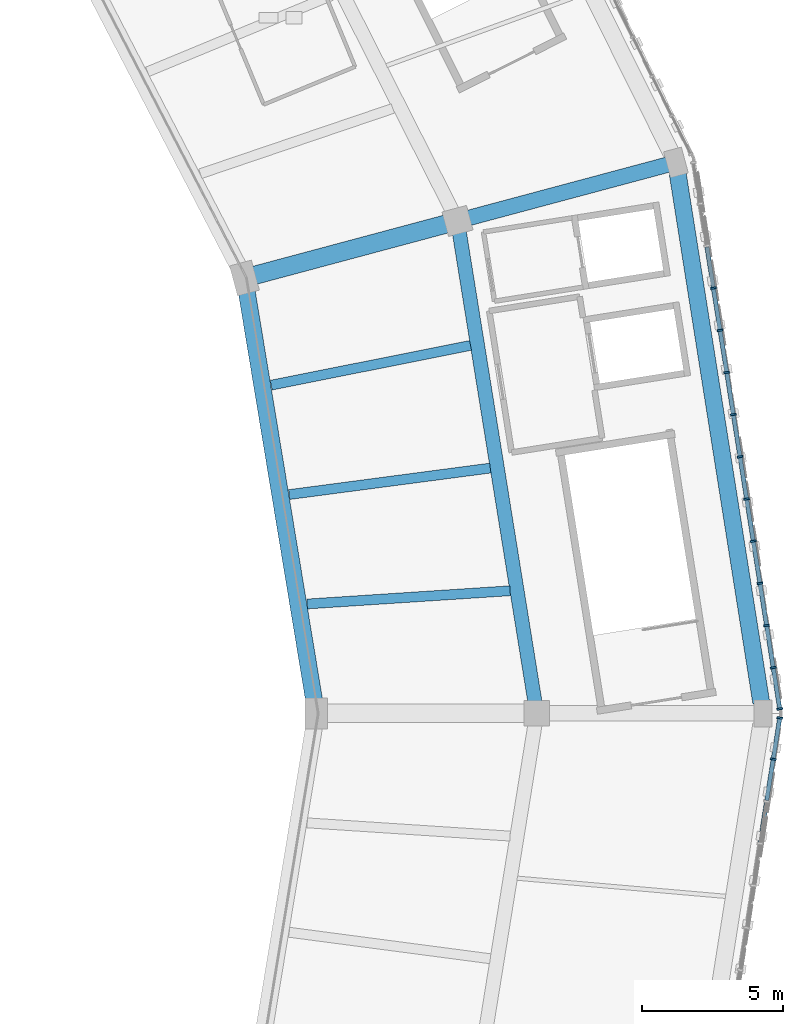
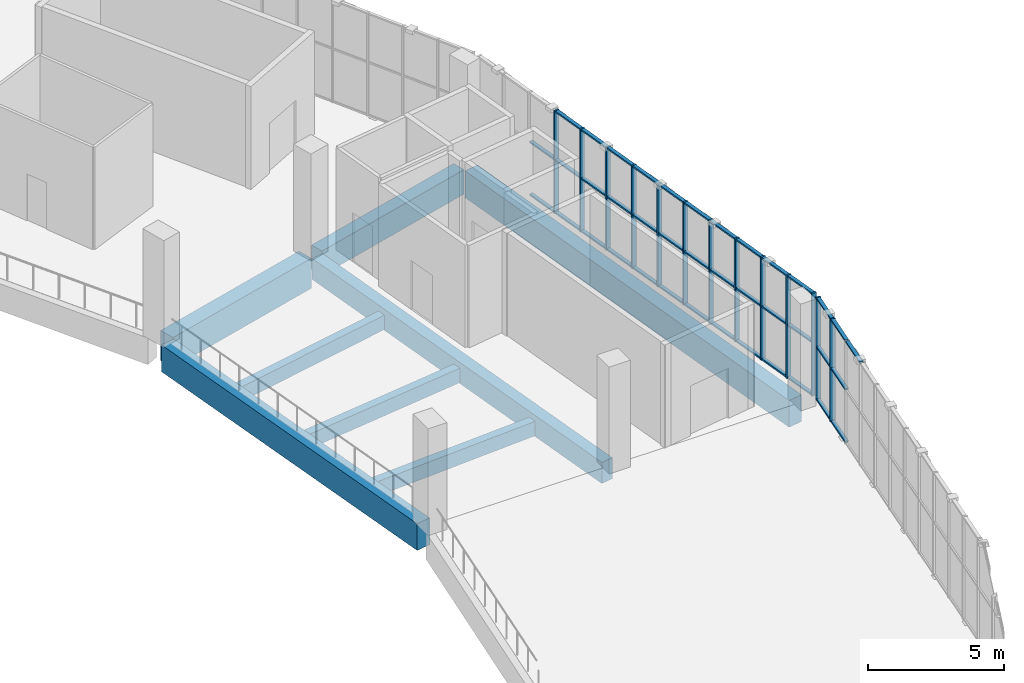
# One storey, part 20 of 64: 52 members, 8 beams, 2 elements without a shape of their own.
"""IFC4 building model written with IfcOpenShell, lengths in metres."""

from ifc_helpers import new_model, si_unit, direction, frame, origin, origin_2d, place, context, subcontext, project, spatial, rectangle, extrude, material, material_profile, profile_set, type_object, element, aggregate, save


model = new_model("IFC4")

# Units and contexts
model_context = context("Model", 3, precision=1e-05, world=origin(), true_north=direction((0.0, 1.0)))
body_context = subcontext(model_context, "Body", "Model", "MODEL_VIEW")
ifc_project = project(units=[si_unit("LENGTHUNIT", "METRE"), si_unit("AREAUNIT", "SQUARE_METRE"), si_unit("VOLUMEUNIT", "CUBIC_METRE"), si_unit("PLANEANGLEUNIT", "RADIAN"), si_unit("MASSUNIT", "GRAM", prefix="KILO")], contexts=[model_context])

# Site, building, storey
site_placement = place(None, origin())
site = spatial("IfcSite", under=ifc_project, at=site_placement, CompositionType="ELEMENT")
building_placement = place(site_placement, origin())
building = spatial("IfcBuilding", under=site, at=building_placement, Name="Zevraka Park Crest Stadium", CompositionType="ELEMENT")
storey_placement = place(building_placement, frame((0.0, 0.0, 24.60009765625)))
storey = spatial("IfcBuildingStorey", under=building, at=storey_placement, Name="L05", CompositionType="ELEMENT", Elevation=24.60009765625)

# Beams
ifc_material_1 = material(Name="Concrete C40/50", Category="concrete")
ifc_material_profile_1 = material_profile(ifc_material_1, rectangle(XDim=0.64990234375, YDim=1.35009765625, at=origin_2d()), Name="RC 1350x650")
ifc_profile_set_1 = profile_set([ifc_material_profile_1], Name="Concrete C40/50")
beam_type_1 = type_object("IfcBeamType", Name="BG01", PredefinedType="BEAM", material=ifc_profile_set_1)
beam_1_placement = place(storey_placement, frame((184.2509765625, 107.47802734375, -0.68505859375), z_axis=(0.965945630245, 0.258745124417, 0.0), x_axis=(-0.258745124417, 0.965945630245, 0.0)))
element("IfcBeam", 1, at=beam_1_placement, inside=storey, type_object=beam_type_1, Name="Radial Girder BG01 L05-BC-01", PredefinedType="BEAM", context=body_context, shape_type="SweptSolid", body=[
    extrude(rectangle(XDim=0.64990234375, YDim=1.35009765625, at=origin_2d()), origin(), (0.0, 0.0, 1.0), 7.2001953125),
])
ifc_material_2 = material(Name="Concrete C40/50", Category="concrete")
ifc_material_profile_2 = material_profile(ifc_material_2, rectangle(XDim=0.550048828125, YDim=1.10009765625, at=origin_2d()), Name="RC 1100x550")
ifc_profile_set_2 = profile_set([ifc_material_profile_2], Name="Concrete C40/50")
beam_type_2 = type_object("IfcBeamType", Name="BG02", PredefinedType="BEAM", material=ifc_profile_set_2)
beam_2_placement = place(storey_placement, frame((191.785888671875, 109.4970703125, -0.56005859375), z_axis=(0.965968812251, 0.258658565986, 0.0), x_axis=(-0.258658565986, 0.965968812251, 0.0)))
element("IfcBeam", 2, at=beam_2_placement, inside=storey, type_object=beam_type_2, Name="Radial Girder BG02 L05-CD-01", PredefinedType="BEAM", context=body_context, shape_type="SweptSolid", body=[
    extrude(rectangle(XDim=0.550048828125, YDim=1.10009765625, at=origin_2d()), origin(), (0.0, 0.0, 1.0), 7.39892578125),
])

# Curtain wall, members
ifc_material_3 = material(Name="Anodised architectural aluminium and laminated safety glass", Category="aluminium")
curtain_wall_type = type_object("IfcCurtainWallType", Name="CW21", PredefinedType="NOTDEFINED", material=ifc_material_3)
curtain_wall_1_placement = place(storey_placement, origin())
curtain_wall_1 = element("IfcCurtainWall", 3, at=curtain_wall_1_placement, inside=storey, type_object=curtain_wall_type, Name="Unitised Ring Curtain Wall CW21 L05-00", PredefinedType="NOTDEFINED")
ifc_material_4 = material(Name="Anodised architectural aluminium", Category="aluminium")
ifc_material_profile_3 = material_profile(ifc_material_4, rectangle(XDim=0.199951171875, YDim=0.070068359375, at=origin_2d()), Name="ALU MULLION 200x70")
ifc_profile_set_3 = profile_set([ifc_material_profile_3], Name="Anodised architectural aluminium")
member_type_1 = type_object("IfcMemberType", Name="CM03", PredefinedType="MULLION", material=ifc_profile_set_3)
member_1_placement = place(storey_placement, frame((202.8935546875, 92.16064453125, 0.0), z_axis=(0.0, 0.0, 1.0), x_axis=(-0.987802580924, -0.155711467527, 0.0)))
member_1 = element("IfcMember", 4, at=member_1_placement, type_object=member_type_1, Name="CW21 mullion 1", PredefinedType="MULLION", context=body_context, shape_type="SweptSolid", body=[
    extrude(rectangle(XDim=0.199951171875, YDim=0.070068359375, at=origin_2d()), origin(), (0.0, 0.0, 1.0), 4.619873046875),
])
member_2_placement = place(storey_placement, frame((202.663818359375, 93.61767578125, 0.0), z_axis=(0.0, 0.0, 1.0), x_axis=(-0.987802580924, -0.155711467527, 0.0)))
member_2 = element("IfcMember", 5, at=member_2_placement, type_object=member_type_1, Name="CW21 mullion 2", PredefinedType="MULLION", context=body_context, shape_type="SweptSolid", body=[
    extrude(rectangle(XDim=0.199951171875, YDim=0.070068359375, at=origin_2d()), origin(), (0.0, 0.0, 1.0), 4.619873046875),
])
member_3_placement = place(storey_placement, frame((202.4287109375, 95.109619140625, 0.0), z_axis=(0.0, 0.0, 1.0), x_axis=(-0.987802580924, -0.155711467527, 0.0)))
member_3 = element("IfcMember", 6, at=member_3_placement, type_object=member_type_1, Name="CW21 mullion 3", PredefinedType="MULLION", context=body_context, shape_type="SweptSolid", body=[
    extrude(rectangle(XDim=0.199951171875, YDim=0.070068359375, at=origin_2d()), origin(), (0.0, 0.0, 1.0), 4.619873046875),
])
member_4_placement = place(storey_placement, frame((202.193603515625, 96.601318359375, 0.0), z_axis=(0.0, 0.0, 1.0), x_axis=(-0.987802580924, -0.155711467527, 0.0)))
member_4 = element("IfcMember", 7, at=member_4_placement, type_object=member_type_1, Name="CW21 mullion 4", PredefinedType="MULLION", context=body_context, shape_type="SweptSolid", body=[
    extrude(rectangle(XDim=0.199951171875, YDim=0.070068359375, at=origin_2d()), origin(), (0.0, 0.0, 1.0), 4.619873046875),
])
member_5_placement = place(storey_placement, frame((201.95849609375, 98.093017578125, 0.0), z_axis=(0.0, 0.0, 1.0), x_axis=(-0.987802580924, -0.155711467527, 0.0)))
member_5 = element("IfcMember", 8, at=member_5_placement, type_object=member_type_1, Name="CW21 mullion 5", PredefinedType="MULLION", context=body_context, shape_type="SweptSolid", body=[
    extrude(rectangle(XDim=0.199951171875, YDim=0.070068359375, at=origin_2d()), origin(), (0.0, 0.0, 1.0), 4.619873046875),
])
member_6_placement = place(storey_placement, frame((201.72314453125, 99.5849609375, 0.0), z_axis=(0.0, 0.0, 1.0), x_axis=(-0.987802580924, -0.155711467527, 0.0)))
member_6 = element("IfcMember", 9, at=member_6_placement, type_object=member_type_1, Name="CW21 mullion 6", PredefinedType="MULLION", context=body_context, shape_type="SweptSolid", body=[
    extrude(rectangle(XDim=0.199951171875, YDim=0.070068359375, at=origin_2d()), origin(), (0.0, 0.0, 1.0), 4.619873046875),
])
member_7_placement = place(storey_placement, frame((201.488037109375, 101.07666015625, 0.0), z_axis=(0.0, 0.0, 1.0), x_axis=(-0.987802580924, -0.155711467527, 0.0)))
member_7 = element("IfcMember", 10, at=member_7_placement, type_object=member_type_1, Name="CW21 mullion 7", PredefinedType="MULLION", context=body_context, shape_type="SweptSolid", body=[
    extrude(rectangle(XDim=0.199951171875, YDim=0.070068359375, at=origin_2d()), origin(), (0.0, 0.0, 1.0), 4.619873046875),
])
member_8_placement = place(storey_placement, frame((201.2529296875, 102.568359375, 0.0), z_axis=(0.0, 0.0, 1.0), x_axis=(-0.987802580924, -0.155711467527, 0.0)))
member_8 = element("IfcMember", 11, at=member_8_placement, type_object=member_type_1, Name="CW21 mullion 8", PredefinedType="MULLION", context=body_context, shape_type="SweptSolid", body=[
    extrude(rectangle(XDim=0.199951171875, YDim=0.070068359375, at=origin_2d()), origin(), (0.0, 0.0, 1.0), 4.619873046875),
])
member_9_placement = place(storey_placement, frame((201.017822265625, 104.06005859375, 0.0), z_axis=(0.0, 0.0, 1.0), x_axis=(-0.987802580924, -0.155711467527, 0.0)))
member_9 = element("IfcMember", 12, at=member_9_placement, type_object=member_type_1, Name="CW21 mullion 9", PredefinedType="MULLION", context=body_context, shape_type="SweptSolid", body=[
    extrude(rectangle(XDim=0.199951171875, YDim=0.070068359375, at=origin_2d()), origin(), (0.0, 0.0, 1.0), 4.619873046875),
])
member_10_placement = place(storey_placement, frame((200.78271484375, 105.552001953125, 0.0), z_axis=(0.0, 0.0, 1.0), x_axis=(-0.987802580924, -0.155711467527, 0.0)))
member_10 = element("IfcMember", 13, at=member_10_placement, type_object=member_type_1, Name="CW21 mullion 10", PredefinedType="MULLION", context=body_context, shape_type="SweptSolid", body=[
    extrude(rectangle(XDim=0.199951171875, YDim=0.070068359375, at=origin_2d()), origin(), (0.0, 0.0, 1.0), 4.619873046875),
])
member_11_placement = place(storey_placement, frame((200.54736328125, 107.043701171875, 0.0), z_axis=(0.0, 0.0, 1.0), x_axis=(-0.987802580924, -0.155711467527, 0.0)))
member_11 = element("IfcMember", 14, at=member_11_placement, type_object=member_type_1, Name="CW21 mullion 11", PredefinedType="MULLION", context=body_context, shape_type="SweptSolid", body=[
    extrude(rectangle(XDim=0.199951171875, YDim=0.070068359375, at=origin_2d()), origin(), (0.0, 0.0, 1.0), 4.619873046875),
])

curtain_wall_2_placement = place(storey_placement, origin())
curtain_wall_2 = element("IfcCurtainWall", 15, at=curtain_wall_2_placement, inside=storey, type_object=curtain_wall_type, Name="Unitised Ring Curtain Wall CW21 L05-23", PredefinedType="NOTDEFINED")
member_12_placement = place(storey_placement, frame((202.663818359375, 90.38232421875, 0.0), z_axis=(0.0, 0.0, 1.0), x_axis=(-0.987802580924, 0.155711467527, 0.0)))
member_12 = element("IfcMember", 16, at=member_12_placement, type_object=member_type_1, Name="CW21 mullion 13", PredefinedType="MULLION", context=body_context, shape_type="SweptSolid", body=[
    extrude(rectangle(XDim=0.199951171875, YDim=0.070068359375, at=origin_2d()), origin(), (0.0, 0.0, 1.0), 4.619873046875),
])
member_13_placement = place(storey_placement, frame((202.8935546875, 91.83935546875, 0.0), z_axis=(0.0, 0.0, 1.0), x_axis=(-0.987802580924, 0.155711467527, 0.0)))
member_13 = element("IfcMember", 17, at=member_13_placement, type_object=member_type_1, Name="CW21 mullion 14", PredefinedType="MULLION", context=body_context, shape_type="SweptSolid", body=[
    extrude(rectangle(XDim=0.199951171875, YDim=0.070068359375, at=origin_2d()), origin(), (0.0, 0.0, 1.0), 4.619873046875),
])

# Member
ifc_material_5 = material(Name="Anodised architectural aluminium", Category="aluminium")
ifc_material_profile_4 = material_profile(ifc_material_5, rectangle(XDim=0.14990234375, YDim=0.070068359375, at=origin_2d()), Name="ALU TRANSOM 150x70")
ifc_profile_set_4 = profile_set([ifc_material_profile_4], Name="Anodised architectural aluminium")
member_type_2 = type_object("IfcMemberType", Name="CT03", PredefinedType="USERDEFINED", material=ifc_profile_set_4)
member_14_placement = place(storey_placement, frame((202.88818359375, 92.195068359375, 0.034912109375), z_axis=(-0.155828759043, 0.987784084634, 0.0), x_axis=(-0.987784084634, -0.155828759043, 0.0)))
member_14 = element("IfcMember", 18, at=member_14_placement, type_object=member_type_2, Name="CW21 transom 1.1", ObjectType="TRANSOM", PredefinedType="USERDEFINED", context=body_context, shape_type="SweptSolid", body=[
    extrude(rectangle(XDim=0.14990234375, YDim=0.070068359375, at=origin_2d()), origin(), (0.0, 0.0, 1.0), 1.4052734375),
])

member_15_placement = place(storey_placement, frame((202.88818359375, 92.195068359375, 2.39990234375), z_axis=(-0.155828759043, 0.987784084634, 0.0), x_axis=(-0.987784084634, -0.155828759043, 0.0)))
member_15 = element("IfcMember", 19, at=member_15_placement, type_object=member_type_2, Name="CW21 transom 1.2", ObjectType="TRANSOM", PredefinedType="USERDEFINED", context=body_context, shape_type="SweptSolid", body=[
    extrude(rectangle(XDim=0.14990234375, YDim=0.070068359375, at=origin_2d()), origin(), (0.0, 0.0, 1.0), 1.4052734375),
])

member_16_placement = place(storey_placement, frame((202.88818359375, 92.195068359375, 4.5849609375), z_axis=(-0.155828759043, 0.987784084634, 0.0), x_axis=(-0.987784084634, -0.155828759043, 0.0)))
member_16 = element("IfcMember", 20, at=member_16_placement, type_object=member_type_2, Name="CW21 transom 1.3", ObjectType="TRANSOM", PredefinedType="USERDEFINED", context=body_context, shape_type="SweptSolid", body=[
    extrude(rectangle(XDim=0.14990234375, YDim=0.070068359375, at=origin_2d()), origin(), (0.0, 0.0, 1.0), 1.4052734375),
])

member_17_placement = place(storey_placement, frame((202.658447265625, 93.65234375, 0.034912109375), z_axis=(-0.155788469887, 0.987790439643, 0.0), x_axis=(-0.987790439643, -0.155788469887, 0.0)))
member_17 = element("IfcMember", 21, at=member_17_placement, type_object=member_type_2, Name="CW21 transom 2.1", ObjectType="TRANSOM", PredefinedType="USERDEFINED", context=body_context, shape_type="SweptSolid", body=[
    extrude(rectangle(XDim=0.14990234375, YDim=0.070068359375, at=origin_2d()), origin(), (0.0, 0.0, 1.0), 1.440185546875),
])

member_18_placement = place(storey_placement, frame((202.658447265625, 93.65234375, 2.39990234375), z_axis=(-0.155788469887, 0.987790439643, 0.0), x_axis=(-0.987790439643, -0.155788469887, 0.0)))
member_18 = element("IfcMember", 22, at=member_18_placement, type_object=member_type_2, Name="CW21 transom 2.2", ObjectType="TRANSOM", PredefinedType="USERDEFINED", context=body_context, shape_type="SweptSolid", body=[
    extrude(rectangle(XDim=0.14990234375, YDim=0.070068359375, at=origin_2d()), origin(), (0.0, 0.0, 1.0), 1.440185546875),
])

member_19_placement = place(storey_placement, frame((202.658447265625, 93.65234375, 4.5849609375), z_axis=(-0.155788469887, 0.987790439643, 0.0), x_axis=(-0.987790439643, -0.155788469887, 0.0)))
member_19 = element("IfcMember", 23, at=member_19_placement, type_object=member_type_2, Name="CW21 transom 2.3", ObjectType="TRANSOM", PredefinedType="USERDEFINED", context=body_context, shape_type="SweptSolid", body=[
    extrude(rectangle(XDim=0.14990234375, YDim=0.070068359375, at=origin_2d()), origin(), (0.0, 0.0, 1.0), 1.440185546875),
])

member_20_placement = place(storey_placement, frame((202.42333984375, 95.14404296875, 0.034912109375), z_axis=(-0.155788469887, 0.987790439643, 0.0), x_axis=(-0.987790439643, -0.155788469887, 0.0)))
member_20 = element("IfcMember", 24, at=member_20_placement, type_object=member_type_2, Name="CW21 transom 3.1", ObjectType="TRANSOM", PredefinedType="USERDEFINED", context=body_context, shape_type="SweptSolid", body=[
    extrude(rectangle(XDim=0.14990234375, YDim=0.070068359375, at=origin_2d()), origin(), (0.0, 0.0, 1.0), 1.440185546875),
])

member_21_placement = place(storey_placement, frame((202.42333984375, 95.14404296875, 2.39990234375), z_axis=(-0.155788469887, 0.987790439643, 0.0), x_axis=(-0.987790439643, -0.155788469887, 0.0)))
member_21 = element("IfcMember", 25, at=member_21_placement, type_object=member_type_2, Name="CW21 transom 3.2", ObjectType="TRANSOM", PredefinedType="USERDEFINED", context=body_context, shape_type="SweptSolid", body=[
    extrude(rectangle(XDim=0.14990234375, YDim=0.070068359375, at=origin_2d()), origin(), (0.0, 0.0, 1.0), 1.440185546875),
])

member_22_placement = place(storey_placement, frame((202.42333984375, 95.14404296875, 4.5849609375), z_axis=(-0.155788469887, 0.987790439643, 0.0), x_axis=(-0.987790439643, -0.155788469887, 0.0)))
member_22 = element("IfcMember", 26, at=member_22_placement, type_object=member_type_2, Name="CW21 transom 3.3", ObjectType="TRANSOM", PredefinedType="USERDEFINED", context=body_context, shape_type="SweptSolid", body=[
    extrude(rectangle(XDim=0.14990234375, YDim=0.070068359375, at=origin_2d()), origin(), (0.0, 0.0, 1.0), 1.440185546875),
])

member_23_placement = place(storey_placement, frame((202.18798828125, 96.635986328125, 0.034912109375), z_axis=(-0.155623058031, 0.98781651323, 0.0), x_axis=(-0.98781651323, -0.155623058031, 0.0)))
member_23 = element("IfcMember", 27, at=member_23_placement, type_object=member_type_2, Name="CW21 transom 4.1", ObjectType="TRANSOM", PredefinedType="USERDEFINED", context=body_context, shape_type="SweptSolid", body=[
    extrude(rectangle(XDim=0.14990234375, YDim=0.070068359375, at=origin_2d()), origin(), (0.0, 0.0, 1.0), 1.440185546875),
])

member_24_placement = place(storey_placement, frame((202.18798828125, 96.635986328125, 2.39990234375), z_axis=(-0.155623058031, 0.98781651323, 0.0), x_axis=(-0.98781651323, -0.155623058031, 0.0)))
member_24 = element("IfcMember", 28, at=member_24_placement, type_object=member_type_2, Name="CW21 transom 4.2", ObjectType="TRANSOM", PredefinedType="USERDEFINED", context=body_context, shape_type="SweptSolid", body=[
    extrude(rectangle(XDim=0.14990234375, YDim=0.070068359375, at=origin_2d()), origin(), (0.0, 0.0, 1.0), 1.440185546875),
])

member_25_placement = place(storey_placement, frame((202.18798828125, 96.635986328125, 4.5849609375), z_axis=(-0.155623058031, 0.98781651323, 0.0), x_axis=(-0.98781651323, -0.155623058031, 0.0)))
member_25 = element("IfcMember", 29, at=member_25_placement, type_object=member_type_2, Name="CW21 transom 4.3", ObjectType="TRANSOM", PredefinedType="USERDEFINED", context=body_context, shape_type="SweptSolid", body=[
    extrude(rectangle(XDim=0.14990234375, YDim=0.070068359375, at=origin_2d()), origin(), (0.0, 0.0, 1.0), 1.440185546875),
])

member_26_placement = place(storey_placement, frame((201.952880859375, 98.127685546875, 0.034912109375), z_axis=(-0.155623058031, 0.98781651323, 0.0), x_axis=(-0.98781651323, -0.155623058031, 0.0)))
member_26 = element("IfcMember", 30, at=member_26_placement, type_object=member_type_2, Name="CW21 transom 5.1", ObjectType="TRANSOM", PredefinedType="USERDEFINED", context=body_context, shape_type="SweptSolid", body=[
    extrude(rectangle(XDim=0.14990234375, YDim=0.070068359375, at=origin_2d()), origin(), (0.0, 0.0, 1.0), 1.440185546875),
])

member_27_placement = place(storey_placement, frame((201.952880859375, 98.127685546875, 2.39990234375), z_axis=(-0.155623058031, 0.98781651323, 0.0), x_axis=(-0.98781651323, -0.155623058031, 0.0)))
member_27 = element("IfcMember", 31, at=member_27_placement, type_object=member_type_2, Name="CW21 transom 5.2", ObjectType="TRANSOM", PredefinedType="USERDEFINED", context=body_context, shape_type="SweptSolid", body=[
    extrude(rectangle(XDim=0.14990234375, YDim=0.070068359375, at=origin_2d()), origin(), (0.0, 0.0, 1.0), 1.440185546875),
])

member_28_placement = place(storey_placement, frame((201.952880859375, 98.127685546875, 4.5849609375), z_axis=(-0.155623058031, 0.98781651323, 0.0), x_axis=(-0.98781651323, -0.155623058031, 0.0)))
member_28 = element("IfcMember", 32, at=member_28_placement, type_object=member_type_2, Name="CW21 transom 5.3", ObjectType="TRANSOM", PredefinedType="USERDEFINED", context=body_context, shape_type="SweptSolid", body=[
    extrude(rectangle(XDim=0.14990234375, YDim=0.070068359375, at=origin_2d()), origin(), (0.0, 0.0, 1.0), 1.440185546875),
])

member_29_placement = place(storey_placement, frame((201.7177734375, 99.619384765625, 0.034912109375), z_axis=(-0.155788469887, 0.987790439643, 0.0), x_axis=(-0.987790439643, -0.155788469887, 0.0)))
member_29 = element("IfcMember", 33, at=member_29_placement, type_object=member_type_2, Name="CW21 transom 6.1", ObjectType="TRANSOM", PredefinedType="USERDEFINED", context=body_context, shape_type="SweptSolid", body=[
    extrude(rectangle(XDim=0.14990234375, YDim=0.070068359375, at=origin_2d()), origin(), (0.0, 0.0, 1.0), 1.440185546875),
])

member_30_placement = place(storey_placement, frame((201.7177734375, 99.619384765625, 2.39990234375), z_axis=(-0.155788469887, 0.987790439643, 0.0), x_axis=(-0.987790439643, -0.155788469887, 0.0)))
member_30 = element("IfcMember", 34, at=member_30_placement, type_object=member_type_2, Name="CW21 transom 6.2", ObjectType="TRANSOM", PredefinedType="USERDEFINED", context=body_context, shape_type="SweptSolid", body=[
    extrude(rectangle(XDim=0.14990234375, YDim=0.070068359375, at=origin_2d()), origin(), (0.0, 0.0, 1.0), 1.440185546875),
])

member_31_placement = place(storey_placement, frame((201.7177734375, 99.619384765625, 4.5849609375), z_axis=(-0.155788469887, 0.987790439643, 0.0), x_axis=(-0.987790439643, -0.155788469887, 0.0)))
member_31 = element("IfcMember", 35, at=member_31_placement, type_object=member_type_2, Name="CW21 transom 6.3", ObjectType="TRANSOM", PredefinedType="USERDEFINED", context=body_context, shape_type="SweptSolid", body=[
    extrude(rectangle(XDim=0.14990234375, YDim=0.070068359375, at=origin_2d()), origin(), (0.0, 0.0, 1.0), 1.440185546875),
])

member_32_placement = place(storey_placement, frame((201.482666015625, 101.111083984375, 0.034912109375), z_axis=(-0.155788469887, 0.987790439643, 0.0), x_axis=(-0.987790439643, -0.155788469887, 0.0)))
member_32 = element("IfcMember", 36, at=member_32_placement, type_object=member_type_2, Name="CW21 transom 7.1", ObjectType="TRANSOM", PredefinedType="USERDEFINED", context=body_context, shape_type="SweptSolid", body=[
    extrude(rectangle(XDim=0.14990234375, YDim=0.070068359375, at=origin_2d()), origin(), (0.0, 0.0, 1.0), 1.440185546875),
])

member_33_placement = place(storey_placement, frame((201.482666015625, 101.111083984375, 2.39990234375), z_axis=(-0.155788469887, 0.987790439643, 0.0), x_axis=(-0.987790439643, -0.155788469887, 0.0)))
member_33 = element("IfcMember", 37, at=member_33_placement, type_object=member_type_2, Name="CW21 transom 7.2", ObjectType="TRANSOM", PredefinedType="USERDEFINED", context=body_context, shape_type="SweptSolid", body=[
    extrude(rectangle(XDim=0.14990234375, YDim=0.070068359375, at=origin_2d()), origin(), (0.0, 0.0, 1.0), 1.440185546875),
])

member_34_placement = place(storey_placement, frame((201.482666015625, 101.111083984375, 4.5849609375), z_axis=(-0.155788469887, 0.987790439643, 0.0), x_axis=(-0.987790439643, -0.155788469887, 0.0)))
member_34 = element("IfcMember", 38, at=member_34_placement, type_object=member_type_2, Name="CW21 transom 7.3", ObjectType="TRANSOM", PredefinedType="USERDEFINED", context=body_context, shape_type="SweptSolid", body=[
    extrude(rectangle(XDim=0.14990234375, YDim=0.070068359375, at=origin_2d()), origin(), (0.0, 0.0, 1.0), 1.440185546875),
])

member_35_placement = place(storey_placement, frame((201.24755859375, 102.60302734375, 0.034912109375), z_axis=(-0.155788469887, 0.987790439643, 0.0), x_axis=(-0.987790439643, -0.155788469887, 0.0)))
member_35 = element("IfcMember", 39, at=member_35_placement, type_object=member_type_2, Name="CW21 transom 8.1", ObjectType="TRANSOM", PredefinedType="USERDEFINED", context=body_context, shape_type="SweptSolid", body=[
    extrude(rectangle(XDim=0.14990234375, YDim=0.070068359375, at=origin_2d()), origin(), (0.0, 0.0, 1.0), 1.440185546875),
])

member_36_placement = place(storey_placement, frame((201.24755859375, 102.60302734375, 2.39990234375), z_axis=(-0.155788469887, 0.987790439643, 0.0), x_axis=(-0.987790439643, -0.155788469887, 0.0)))
member_36 = element("IfcMember", 40, at=member_36_placement, type_object=member_type_2, Name="CW21 transom 8.2", ObjectType="TRANSOM", PredefinedType="USERDEFINED", context=body_context, shape_type="SweptSolid", body=[
    extrude(rectangle(XDim=0.14990234375, YDim=0.070068359375, at=origin_2d()), origin(), (0.0, 0.0, 1.0), 1.440185546875),
])

member_37_placement = place(storey_placement, frame((201.24755859375, 102.60302734375, 4.5849609375), z_axis=(-0.155788469887, 0.987790439643, 0.0), x_axis=(-0.987790439643, -0.155788469887, 0.0)))
member_37 = element("IfcMember", 41, at=member_37_placement, type_object=member_type_2, Name="CW21 transom 8.3", ObjectType="TRANSOM", PredefinedType="USERDEFINED", context=body_context, shape_type="SweptSolid", body=[
    extrude(rectangle(XDim=0.14990234375, YDim=0.070068359375, at=origin_2d()), origin(), (0.0, 0.0, 1.0), 1.440185546875),
])

member_38_placement = place(storey_placement, frame((201.01220703125, 104.0947265625, 0.034912109375), z_axis=(-0.155623058031, 0.98781651323, 0.0), x_axis=(-0.98781651323, -0.155623058031, 0.0)))
member_38 = element("IfcMember", 42, at=member_38_placement, type_object=member_type_2, Name="CW21 transom 9.1", ObjectType="TRANSOM", PredefinedType="USERDEFINED", context=body_context, shape_type="SweptSolid", body=[
    extrude(rectangle(XDim=0.14990234375, YDim=0.070068359375, at=origin_2d()), origin(), (0.0, 0.0, 1.0), 1.440185546875),
])

member_39_placement = place(storey_placement, frame((201.01220703125, 104.0947265625, 2.39990234375), z_axis=(-0.155623058031, 0.98781651323, 0.0), x_axis=(-0.98781651323, -0.155623058031, 0.0)))
member_39 = element("IfcMember", 43, at=member_39_placement, type_object=member_type_2, Name="CW21 transom 9.2", ObjectType="TRANSOM", PredefinedType="USERDEFINED", context=body_context, shape_type="SweptSolid", body=[
    extrude(rectangle(XDim=0.14990234375, YDim=0.070068359375, at=origin_2d()), origin(), (0.0, 0.0, 1.0), 1.440185546875),
])

member_40_placement = place(storey_placement, frame((201.01220703125, 104.0947265625, 4.5849609375), z_axis=(-0.155623058031, 0.98781651323, 0.0), x_axis=(-0.98781651323, -0.155623058031, 0.0)))
member_40 = element("IfcMember", 44, at=member_40_placement, type_object=member_type_2, Name="CW21 transom 9.3", ObjectType="TRANSOM", PredefinedType="USERDEFINED", context=body_context, shape_type="SweptSolid", body=[
    extrude(rectangle(XDim=0.14990234375, YDim=0.070068359375, at=origin_2d()), origin(), (0.0, 0.0, 1.0), 1.440185546875),
])

member_41_placement = place(storey_placement, frame((200.777099609375, 105.58642578125, 0.034912109375), z_axis=(-0.155623058031, 0.98781651323, 0.0), x_axis=(-0.98781651323, -0.155623058031, 0.0)))
member_41 = element("IfcMember", 45, at=member_41_placement, type_object=member_type_2, Name="CW21 transom 10.1", ObjectType="TRANSOM", PredefinedType="USERDEFINED", context=body_context, shape_type="SweptSolid", body=[
    extrude(rectangle(XDim=0.14990234375, YDim=0.070068359375, at=origin_2d()), origin(), (0.0, 0.0, 1.0), 1.440185546875),
])

member_42_placement = place(storey_placement, frame((200.777099609375, 105.58642578125, 2.39990234375), z_axis=(-0.155623058031, 0.98781651323, 0.0), x_axis=(-0.98781651323, -0.155623058031, 0.0)))
member_42 = element("IfcMember", 46, at=member_42_placement, type_object=member_type_2, Name="CW21 transom 10.2", ObjectType="TRANSOM", PredefinedType="USERDEFINED", context=body_context, shape_type="SweptSolid", body=[
    extrude(rectangle(XDim=0.14990234375, YDim=0.070068359375, at=origin_2d()), origin(), (0.0, 0.0, 1.0), 1.440185546875),
])

member_43_placement = place(storey_placement, frame((200.777099609375, 105.58642578125, 4.5849609375), z_axis=(-0.155623058031, 0.98781651323, 0.0), x_axis=(-0.98781651323, -0.155623058031, 0.0)))
member_43 = element("IfcMember", 47, at=member_43_placement, type_object=member_type_2, Name="CW21 transom 10.3", ObjectType="TRANSOM", PredefinedType="USERDEFINED", context=body_context, shape_type="SweptSolid", body=[
    extrude(rectangle(XDim=0.14990234375, YDim=0.070068359375, at=origin_2d()), origin(), (0.0, 0.0, 1.0), 1.440185546875),
])

member_44_placement = place(storey_placement, frame((200.5419921875, 107.078369140625, 0.034912109375), z_axis=(-0.155623058031, 0.98781651323, 0.0), x_axis=(-0.98781651323, -0.155623058031, 0.0)))
member_44 = element("IfcMember", 48, at=member_44_placement, type_object=member_type_2, Name="CW21 transom 11.1", ObjectType="TRANSOM", PredefinedType="USERDEFINED", context=body_context, shape_type="SweptSolid", body=[
    extrude(rectangle(XDim=0.14990234375, YDim=0.070068359375, at=origin_2d()), origin(), (0.0, 0.0, 1.0), 1.440185546875),
])

member_45_placement = place(storey_placement, frame((200.5419921875, 107.078369140625, 2.39990234375), z_axis=(-0.155623058031, 0.98781651323, 0.0), x_axis=(-0.98781651323, -0.155623058031, 0.0)))
member_45 = element("IfcMember", 49, at=member_45_placement, type_object=member_type_2, Name="CW21 transom 11.2", ObjectType="TRANSOM", PredefinedType="USERDEFINED", context=body_context, shape_type="SweptSolid", body=[
    extrude(rectangle(XDim=0.14990234375, YDim=0.070068359375, at=origin_2d()), origin(), (0.0, 0.0, 1.0), 1.440185546875),
])

aggregate(curtain_wall_1, [member_1, member_2, member_3, member_4, member_5, member_6, member_7, member_8, member_9, member_10, member_11, member_14, member_15, member_16, member_17, member_18, member_19, member_20, member_21, member_22, member_23, member_24, member_25, member_26, member_27, member_28, member_29, member_30, member_31, member_32, member_33, member_34, member_35, member_36, member_37, member_38, member_39, member_40, member_41, member_42, member_43, member_44, member_45])

member_46_placement = place(storey_placement, frame((202.198974609375, 87.433349609375, 4.5849609375), z_axis=(0.155788469887, 0.987790439643, 0.0), x_axis=(-0.987790439643, 0.155788469887, 0.0)))
member_46 = element("IfcMember", 50, at=member_46_placement, type_object=member_type_2, Name="CW21 transom 11.3", ObjectType="TRANSOM", PredefinedType="USERDEFINED", context=body_context, shape_type="SweptSolid", body=[
    extrude(rectangle(XDim=0.14990234375, YDim=0.070068359375, at=origin_2d()), origin(), (0.0, 0.0, 1.0), 1.440185546875),
])

member_47_placement = place(storey_placement, frame((202.43408203125, 88.925048828125, 0.034912109375), z_axis=(0.155788469887, 0.987790439643, 0.0), x_axis=(-0.987790439643, 0.155788469887, 0.0)))
member_47 = element("IfcMember", 51, at=member_47_placement, type_object=member_type_2, Name="CW21 transom 12.1", ObjectType="TRANSOM", PredefinedType="USERDEFINED", context=body_context, shape_type="SweptSolid", body=[
    extrude(rectangle(XDim=0.14990234375, YDim=0.070068359375, at=origin_2d()), origin(), (0.0, 0.0, 1.0), 1.440185546875),
])

member_48_placement = place(storey_placement, frame((202.43408203125, 88.925048828125, 2.39990234375), z_axis=(0.155788469887, 0.987790439643, 0.0), x_axis=(-0.987790439643, 0.155788469887, 0.0)))
member_48 = element("IfcMember", 52, at=member_48_placement, type_object=member_type_2, Name="CW21 transom 12.2", ObjectType="TRANSOM", PredefinedType="USERDEFINED", context=body_context, shape_type="SweptSolid", body=[
    extrude(rectangle(XDim=0.14990234375, YDim=0.070068359375, at=origin_2d()), origin(), (0.0, 0.0, 1.0), 1.440185546875),
])

member_49_placement = place(storey_placement, frame((202.43408203125, 88.925048828125, 4.5849609375), z_axis=(0.155788469887, 0.987790439643, 0.0), x_axis=(-0.987790439643, 0.155788469887, 0.0)))
member_49 = element("IfcMember", 53, at=member_49_placement, type_object=member_type_2, Name="CW21 transom 12.3", ObjectType="TRANSOM", PredefinedType="USERDEFINED", context=body_context, shape_type="SweptSolid", body=[
    extrude(rectangle(XDim=0.14990234375, YDim=0.070068359375, at=origin_2d()), origin(), (0.0, 0.0, 1.0), 1.440185546875),
])

member_50_placement = place(storey_placement, frame((202.669189453125, 90.416748046875, 0.034912109375), z_axis=(0.155828759043, 0.987784084634, 0.0), x_axis=(-0.987784084634, 0.155828759043, 0.0)))
member_50 = element("IfcMember", 54, at=member_50_placement, type_object=member_type_2, Name="CW21 transom 13.1", ObjectType="TRANSOM", PredefinedType="USERDEFINED", context=body_context, shape_type="SweptSolid", body=[
    extrude(rectangle(XDim=0.14990234375, YDim=0.070068359375, at=origin_2d()), origin(), (0.0, 0.0, 1.0), 1.4052734375),
])

member_51_placement = place(storey_placement, frame((202.669189453125, 90.416748046875, 2.39990234375), z_axis=(0.155828759043, 0.987784084634, 0.0), x_axis=(-0.987784084634, 0.155828759043, 0.0)))
member_51 = element("IfcMember", 55, at=member_51_placement, type_object=member_type_2, Name="CW21 transom 13.2", ObjectType="TRANSOM", PredefinedType="USERDEFINED", context=body_context, shape_type="SweptSolid", body=[
    extrude(rectangle(XDim=0.14990234375, YDim=0.070068359375, at=origin_2d()), origin(), (0.0, 0.0, 1.0), 1.4052734375),
])

member_52_placement = place(storey_placement, frame((202.669189453125, 90.416748046875, 4.5849609375), z_axis=(0.155828759043, 0.987784084634, 0.0), x_axis=(-0.987784084634, 0.155828759043, 0.0)))
member_52 = element("IfcMember", 56, at=member_52_placement, type_object=member_type_2, Name="CW21 transom 13.3", ObjectType="TRANSOM", PredefinedType="USERDEFINED", context=body_context, shape_type="SweptSolid", body=[
    extrude(rectangle(XDim=0.14990234375, YDim=0.070068359375, at=origin_2d()), origin(), (0.0, 0.0, 1.0), 1.4052734375),
])

aggregate(curtain_wall_2, [member_12, member_13, member_46, member_47, member_48, member_49, member_50, member_51, member_52])

# Beams
ifc_material_6 = material(Name="Concrete C40/50", Category="concrete")
ifc_material_profile_5 = material_profile(ifc_material_6, rectangle(XDim=0.60009765625, YDim=1.199951171875, at=origin_2d()), Name="RC 1200x600")
ifc_profile_set_5 = profile_set([ifc_material_profile_5], Name="Concrete C40/50")
beam_type_3 = type_object("IfcBeamType", Name="RB01", PredefinedType="BEAM", material=ifc_profile_set_5)
beam_3_placement = place(storey_placement, frame((186.43798828125, 92.375, -0.610107421875), z_axis=(-0.162654875862, 0.986683024764, 0.0), x_axis=(-0.986683024764, -0.162654875862, 0.0)))
element("IfcBeam", 57, at=beam_3_placement, inside=storey, type_object=beam_type_3, Name="Ring Beam RB01 L05-B-00", PredefinedType="BEAM", context=body_context, shape_type="SweptSolid", body=[
    extrude(rectangle(XDim=0.60009765625, YDim=1.199951171875, at=origin_2d()), origin(), (0.0, 0.0, 1.0), 14.84765625),
])
beam_4_placement = place(storey_placement, frame((202.240966796875, 92.375, -0.610107421875), z_axis=(-0.155972486086, 0.987761400129, 0.0), x_axis=(-0.987761400129, -0.155972486086, 0.0)))
element("IfcBeam", 58, at=beam_4_placement, inside=storey, type_object=beam_type_3, Name="Ring Beam RB01 L05-D-00", PredefinedType="BEAM", context=body_context, shape_type="SweptSolid", body=[
    extrude(rectangle(XDim=0.60009765625, YDim=1.199951171875, at=origin_2d()), origin(), (0.0, 0.0, 1.0), 18.97119140625),
])
ifc_material_7 = material(Name="Concrete C40/50", Category="concrete")
ifc_material_profile_6 = material_profile(ifc_material_7, rectangle(XDim=0.5, YDim=0.949951171875, at=origin_2d()), Name="RC 950x500")
ifc_profile_set_6 = profile_set([ifc_material_profile_6], Name="Concrete C40/50")
beam_type_4 = type_object("IfcBeamType", Name="RB02", PredefinedType="BEAM", material=ifc_profile_set_6)
beam_5_placement = place(storey_placement, frame((194.239990234375, 92.375, -0.485107421875), z_axis=(-0.158975112778, 0.987282590507, 0.0), x_axis=(-0.987282590507, -0.158975112778, 0.0)))
element("IfcBeam", 59, at=beam_5_placement, inside=storey, type_object=beam_type_4, Name="Ring Beam RB02 L05-C-00", PredefinedType="BEAM", context=body_context, shape_type="SweptSolid", body=[
    extrude(rectangle(XDim=0.5, YDim=0.949951171875, at=origin_2d()), origin(), (0.0, 0.0, 1.0), 16.883544921875),
])
ifc_material_8 = material(Name="Concrete C40/50", Category="concrete")
ifc_material_profile_7 = material_profile(ifc_material_8, rectangle(XDim=0.35009765625, YDim=0.64990234375, at=origin_2d()), Name="RC 650x350")
ifc_profile_set_7 = profile_set([ifc_material_profile_7], Name="Concrete C40/50")
beam_type_5 = type_object("IfcBeamType", Name="SJ06", PredefinedType="JOIST", material=ifc_profile_set_7)
beam_6_placement = place(storey_placement, frame((186.179931640625, 95.87109375, -0.593017578125), z_axis=(0.997879386875, 0.065090162464, 0.0), x_axis=(-0.065090162464, 0.997879386875, 0.0)))
element("IfcBeam", 60, at=beam_6_placement, inside=storey, type_object=beam_type_5, Name="Floor Joist SJ06 L05-BC-00-1", PredefinedType="JOIST", context=body_context, shape_type="SweptSolid", body=[
    extrude(rectangle(XDim=0.35009765625, YDim=0.64990234375, at=origin_2d()), origin(), (0.0, 0.0, 1.0), 7.190185546875),
])
beam_7_placement = place(storey_placement, frame((185.54296875, 99.740966796875, -0.593017578125), z_axis=(0.991432387953, 0.130620902302, 0.0), x_axis=(-0.130620902302, 0.991432387953, 0.0)))
element("IfcBeam", 61, at=beam_7_placement, inside=storey, type_object=beam_type_5, Name="Floor Joist SJ06 L05-BC-00-2", PredefinedType="JOIST", context=body_context, shape_type="SweptSolid", body=[
    extrude(rectangle(XDim=0.35009765625, YDim=0.64990234375, at=origin_2d()), origin(), (0.0, 0.0, 1.0), 7.173583984375),
])
beam_8_placement = place(storey_placement, frame((184.905029296875, 103.612060546875, -0.593017578125), z_axis=(0.98075007635, 0.195267221364, 0.0), x_axis=(-0.195267221364, 0.98075007635, 0.0)))
element("IfcBeam", 62, at=beam_8_placement, inside=storey, type_object=beam_type_5, Name="Floor Joist SJ06 L05-BC-00-3", PredefinedType="JOIST", context=body_context, shape_type="SweptSolid", body=[
    extrude(rectangle(XDim=0.35009765625, YDim=0.64990234375, at=origin_2d()), origin(), (0.0, 0.0, 1.0), 7.1904296875),
])

save(model, "model.ifc")
